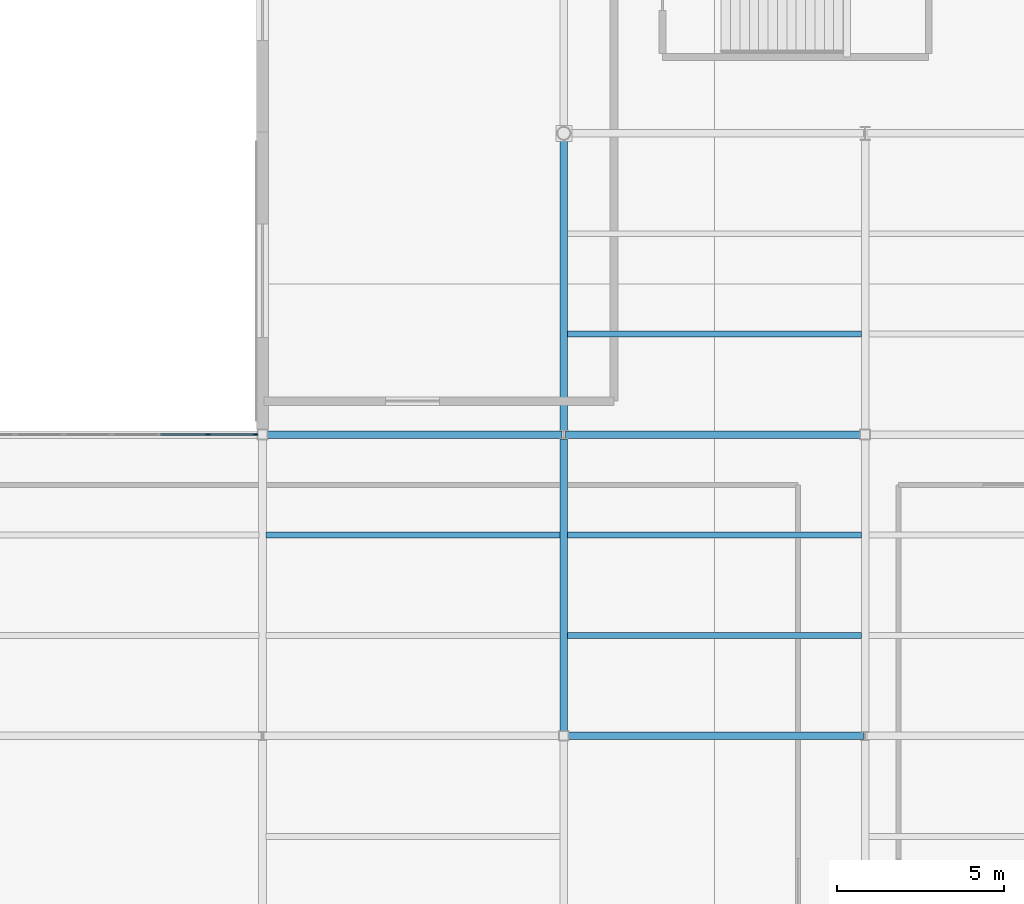
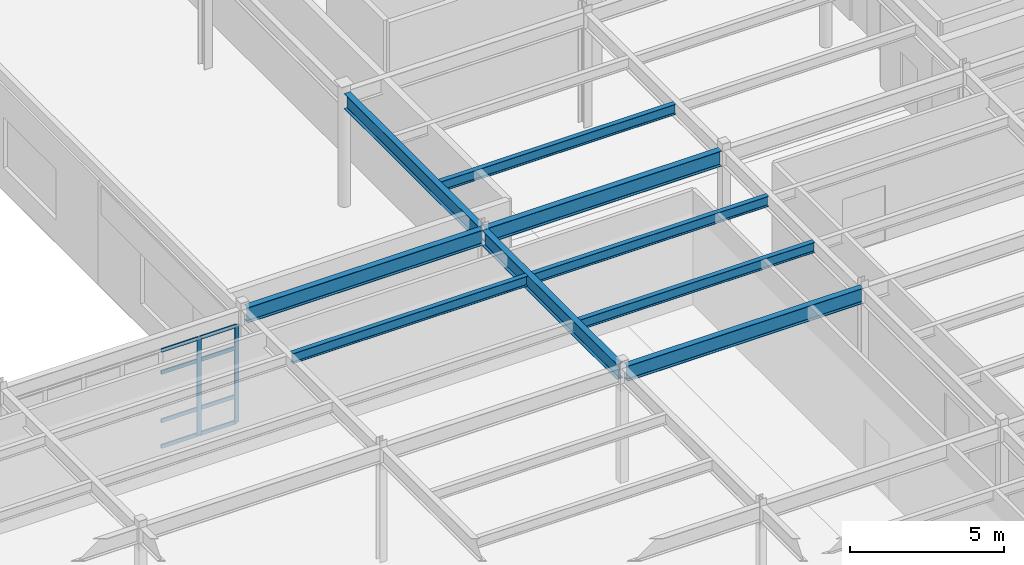
# One storey, part 25 of 84: 10 members, 9 beams, 1 element without a shape of its own.
"""IFC4 building model written with IfcOpenShell, lengths in metres."""

from ifc_helpers import new_model, si_unit, direction, frame, origin, origin_2d, place, context, subcontext, project, spatial, rectangle, i_section, extrude, material, material_profile, profile_set, type_object, element, aggregate, save


model = new_model("IFC4")

# Units and contexts
model_context = context("Model", 3, precision=1e-05, world=origin(), true_north=direction((0.0, 1.0)))
body_context = subcontext(model_context, "Body", "Model", "MODEL_VIEW")
ifc_project = project(units=[si_unit("LENGTHUNIT", "METRE"), si_unit("AREAUNIT", "SQUARE_METRE"), si_unit("VOLUMEUNIT", "CUBIC_METRE"), si_unit("PLANEANGLEUNIT", "RADIAN"), si_unit("MASSUNIT", "GRAM", prefix="KILO")], contexts=[model_context])

# Site, building, storey
site_placement = place(None, origin())
site = spatial("IfcSite", under=ifc_project, at=site_placement, CompositionType="ELEMENT")
building_placement = place(site_placement, origin())
building = spatial("IfcBuilding", under=site, at=building_placement, Name="Glasvene Arena", CompositionType="ELEMENT")
storey_placement = place(building_placement, frame((0.0, 0.0, 10.199951171875)))
storey = spatial("IfcBuildingStorey", under=building, at=storey_placement, Name="L02", CompositionType="ELEMENT", Elevation=10.199951171875)

# Beams
ifc_material_1 = material(Name="Steel S355J2", Category="steel")
ifc_material_profile_1 = material_profile(ifc_material_1, i_section(OverallWidth=0.228271484375, OverallDepth=0.607666015625, WebThickness=0.010986328125, FlangeThickness=0.017333984375, FilletRadius=0.0126953125, at=origin_2d()), Name="UKB 610x229x113")
ifc_profile_set_1 = profile_set([ifc_material_profile_1], Name="Steel S355J2")
beam_type_1 = type_object("IfcBeamType", Name="BM-GIRD-610", PredefinedType="BEAM", material=ifc_profile_set_1)
for number, where, z_axis, x_axis, name in (
    (1, (27.14501953125, 18.0, 4.21630859375), (1.0, 0.0, 0.0), (0.0, 1.0, 0.0), "Primary X girder L02-0794"),
    (2, (18.14501953125, 27.0, 4.21630859375), (1.0, 0.0, 0.0), (0.0, 1.0, 0.0), "Primary X girder L02-0799"),
    (3, (27.050048828125, 27.0, 4.21630859375), (1.0, 0.0, 0.0), (0.0, 1.0, 0.0), "Primary X girder L02-0800"),
):
    element("IfcBeam", number, at=place(storey_placement, frame(where, z_axis=z_axis, x_axis=x_axis)), inside=storey, type_object=beam_type_1, Name=name, PredefinedType="BEAM", context=body_context, shape_type="SweptSolid", body=[
        extrude(i_section(OverallWidth=0.228271484375, OverallDepth=0.607666015625, WebThickness=0.010986328125, FlangeThickness=0.017333984375, FilletRadius=0.0126953125, at=origin_2d()), origin(), (0.0, 0.0, 1.0), 8.804931640625),
    ])
beam_1_placement = place(storey_placement, frame((27.0, 18.14501953125, 4.21630859375), z_axis=(0.0, 1.0, 0.0), x_axis=(-1.0, 0.0, 0.0)))
element("IfcBeam", 4, at=beam_1_placement, inside=storey, type_object=beam_type_1, Name="Primary Y girder L02-0856", PredefinedType="BEAM", context=body_context, shape_type="SweptSolid", body=[
    extrude(i_section(OverallWidth=0.228271484375, OverallDepth=0.607666015625, WebThickness=0.010986328125, FlangeThickness=0.017333984375, FilletRadius=0.0126953125, at=origin_2d()), origin(), (0.0, 0.0, 1.0), 8.729736328125),
])
beam_2_placement = place(storey_placement, frame((27.0, 27.125244140625, 4.21630859375), z_axis=(0.0, 1.0, 0.0), x_axis=(-1.0, 0.0, 0.0)))
element("IfcBeam", 5, at=beam_2_placement, inside=storey, type_object=beam_type_1, Name="Primary Y girder L02-0857", PredefinedType="BEAM", context=body_context, shape_type="SweptSolid", body=[
    extrude(i_section(OverallWidth=0.228271484375, OverallDepth=0.607666015625, WebThickness=0.010986328125, FlangeThickness=0.017333984375, FilletRadius=0.0126953125, at=origin_2d()), origin(), (0.0, 0.0, 1.0), 8.676513671875),
])
ifc_material_profile_2 = material_profile(ifc_material_1, i_section(OverallWidth=0.177978515625, OverallDepth=0.406494140625, WebThickness=0.0078125, FlangeThickness=0.0126953125, FilletRadius=0.01025390625, at=origin_2d()), Name="UKB 406x178x60")
ifc_profile_set_2 = profile_set([ifc_material_profile_2], Name="Steel S355J2")
beam_type_2 = type_object("IfcBeamType", Name="BM-JOIST-406", PredefinedType="JOIST", material=ifc_profile_set_2)
for number, where, z_axis, x_axis, name in (
    (6, (18.110107421875, 24.0, 4.31689453125), (1.0, 0.0, 0.0), (0.0, 1.0, 0.0), "Composite floor joist L02-0906"),
    (7, (27.110107421875, 21.0, 4.31689453125), (1.0, 0.0, 0.0), (0.0, 1.0, 0.0), "Composite floor joist L02-0913"),
    (8, (27.110107421875, 24.0, 4.31689453125), (1.0, 0.0, 0.0), (0.0, 1.0, 0.0), "Composite floor joist L02-0914"),
    (9, (27.110107421875, 30.0, 4.31689453125), (1.0, 0.0, 0.0), (0.0, 1.0, 0.0), "Composite floor joist L02-0915"),
):
    element("IfcBeam", number, at=place(storey_placement, frame(where, z_axis=z_axis, x_axis=x_axis)), inside=storey, type_object=beam_type_2, Name=name, PredefinedType="JOIST", context=body_context, shape_type="SweptSolid", body=[
        extrude(i_section(OverallWidth=0.177978515625, OverallDepth=0.406494140625, WebThickness=0.0078125, FlangeThickness=0.0126953125, FilletRadius=0.01025390625, at=origin_2d()), origin(), (0.0, 0.0, 1.0), 8.77978515625),
    ])

# Curtain wall, members
ifc_material_2 = material(Name="Low-emissivity laminated double glazing", Category="glass")
curtain_wall_type = type_object("IfcCurtainWallType", Name="CW-FAC-L02-864x385", PredefinedType="USERDEFINED", material=ifc_material_2)
curtain_wall_placement = place(storey_placement, frame((9.170166015625, 27.0, 0.0)))
curtain_wall = element("IfcCurtainWall", 10, at=curtain_wall_placement, inside=storey, type_object=curtain_wall_type, Name="Unitised curtain wall CW-F-L02-150-135-270-79", ObjectType="CURTAIN WALL", PredefinedType="USERDEFINED")
ifc_material_3 = material(Name="Anodised architectural aluminium", Category="aluminium")
ifc_material_profile_3 = material_profile(ifc_material_3, rectangle(XDim=0.050048828125, YDim=0.159912109375, at=origin_2d()), Name="ALU MULLION 50x160")
ifc_profile_set_3 = profile_set([ifc_material_profile_3], Name="Anodised architectural aluminium")
member_type_1 = type_object("IfcMemberType", Name="CW-MUL-150", PredefinedType="MULLION", material=ifc_profile_set_3)
member_1_placement = place(storey_placement, frame((16.368408203125, 27.0, 0.06005859375), z_axis=(0.0, 0.0, 1.0), x_axis=(0.0, 1.0, 0.0)))
member_1 = element("IfcMember", 11, at=member_1_placement, type_object=member_type_1, Name="CW-030 mullion 6", PredefinedType="MULLION", context=body_context, shape_type="SweptSolid", body=[
    extrude(rectangle(XDim=0.050048828125, YDim=0.159912109375, at=origin_2d()), origin(), (0.0, 0.0, 1.0), 3.846923828125),
])
member_2_placement = place(storey_placement, frame((17.782958984375, 27.0, 0.06005859375), z_axis=(0.0, 0.0, 1.0), x_axis=(0.0, 1.0, 0.0)))
member_2 = element("IfcMember", 12, at=member_2_placement, type_object=member_type_1, Name="CW-030 mullion 7", PredefinedType="MULLION", context=body_context, shape_type="SweptSolid", body=[
    extrude(rectangle(XDim=0.050048828125, YDim=0.159912109375, at=origin_2d()), origin(), (0.0, 0.0, 1.0), 3.846923828125),
])
ifc_material_profile_4 = material_profile(ifc_material_3, rectangle(XDim=0.050048828125, YDim=0.14990234375, at=origin_2d()), Name="ALU TRANSOM 50x150")
ifc_profile_set_4 = profile_set([ifc_material_profile_4], Name="Anodised architectural aluminium")
member_type_2 = type_object("IfcMemberType", Name="CW-TRN-150", PredefinedType="USERDEFINED", material=ifc_profile_set_4)
member_3_placement = place(storey_placement, frame((14.95361328125, 27.0, 0.0849609375), z_axis=(1.0, 0.0, 0.0), x_axis=(0.0, 1.0, 0.0)))
member_3 = element("IfcMember", 13, at=member_3_placement, type_object=member_type_2, Name="CW-030 transom 5.1", ObjectType="TRANSOM", PredefinedType="USERDEFINED", context=body_context, shape_type="SweptSolid", body=[
    extrude(rectangle(XDim=0.050048828125, YDim=0.14990234375, at=origin_2d()), origin(), (0.0, 0.0, 1.0), 1.3896484375),
])
member_4_placement = place(storey_placement, frame((14.95361328125, 27.0, 1.10009765625), z_axis=(1.0, 0.0, 0.0), x_axis=(0.0, 1.0, 0.0)))
member_4 = element("IfcMember", 14, at=member_4_placement, type_object=member_type_2, Name="CW-030 transom 5.2", ObjectType="TRANSOM", PredefinedType="USERDEFINED", context=body_context, shape_type="SweptSolid", body=[
    extrude(rectangle(XDim=0.050048828125, YDim=0.14990234375, at=origin_2d()), origin(), (0.0, 0.0, 1.0), 1.3896484375),
])
member_5_placement = place(storey_placement, frame((14.95361328125, 27.0, 3.007080078125), z_axis=(1.0, 0.0, 0.0), x_axis=(0.0, 1.0, 0.0)))
member_5 = element("IfcMember", 15, at=member_5_placement, type_object=member_type_2, Name="CW-030 transom 5.3", ObjectType="TRANSOM", PredefinedType="USERDEFINED", context=body_context, shape_type="SweptSolid", body=[
    extrude(rectangle(XDim=0.050048828125, YDim=0.14990234375, at=origin_2d()), origin(), (0.0, 0.0, 1.0), 1.3896484375),
])
member_6_placement = place(storey_placement, frame((14.95361328125, 27.0, 3.882080078125), z_axis=(1.0, 0.0, 0.0), x_axis=(0.0, 1.0, 0.0)))
member_6 = element("IfcMember", 16, at=member_6_placement, type_object=member_type_2, Name="CW-030 transom 5.4", ObjectType="TRANSOM", PredefinedType="USERDEFINED", context=body_context, shape_type="SweptSolid", body=[
    extrude(rectangle(XDim=0.050048828125, YDim=0.14990234375, at=origin_2d()), origin(), (0.0, 0.0, 1.0), 1.3896484375),
])
member_7_placement = place(storey_placement, frame((16.393310546875, 27.0, 0.0849609375), z_axis=(1.0, 0.0, 0.0), x_axis=(0.0, 1.0, 0.0)))
member_7 = element("IfcMember", 17, at=member_7_placement, type_object=member_type_2, Name="CW-030 transom 6.1", ObjectType="TRANSOM", PredefinedType="USERDEFINED", context=body_context, shape_type="SweptSolid", body=[
    extrude(rectangle(XDim=0.050048828125, YDim=0.14990234375, at=origin_2d()), origin(), (0.0, 0.0, 1.0), 1.36474609375),
])
member_8_placement = place(storey_placement, frame((16.393310546875, 27.0, 1.10009765625), z_axis=(1.0, 0.0, 0.0), x_axis=(0.0, 1.0, 0.0)))
member_8 = element("IfcMember", 18, at=member_8_placement, type_object=member_type_2, Name="CW-030 transom 6.2", ObjectType="TRANSOM", PredefinedType="USERDEFINED", context=body_context, shape_type="SweptSolid", body=[
    extrude(rectangle(XDim=0.050048828125, YDim=0.14990234375, at=origin_2d()), origin(), (0.0, 0.0, 1.0), 1.36474609375),
])
member_9_placement = place(storey_placement, frame((16.393310546875, 27.0, 3.007080078125), z_axis=(1.0, 0.0, 0.0), x_axis=(0.0, 1.0, 0.0)))
member_9 = element("IfcMember", 19, at=member_9_placement, type_object=member_type_2, Name="CW-030 transom 6.3", ObjectType="TRANSOM", PredefinedType="USERDEFINED", context=body_context, shape_type="SweptSolid", body=[
    extrude(rectangle(XDim=0.050048828125, YDim=0.14990234375, at=origin_2d()), origin(), (0.0, 0.0, 1.0), 1.36474609375),
])
member_10_placement = place(storey_placement, frame((16.393310546875, 27.0, 3.882080078125), z_axis=(1.0, 0.0, 0.0), x_axis=(0.0, 1.0, 0.0)))
member_10 = element("IfcMember", 20, at=member_10_placement, type_object=member_type_2, Name="CW-030 transom 6.4", ObjectType="TRANSOM", PredefinedType="USERDEFINED", context=body_context, shape_type="SweptSolid", body=[
    extrude(rectangle(XDim=0.050048828125, YDim=0.14990234375, at=origin_2d()), origin(), (0.0, 0.0, 1.0), 1.36474609375),
])
aggregate(curtain_wall, [member_1, member_2, member_3, member_4, member_5, member_6, member_7, member_8, member_9, member_10])

save(model, "model.ifc")
